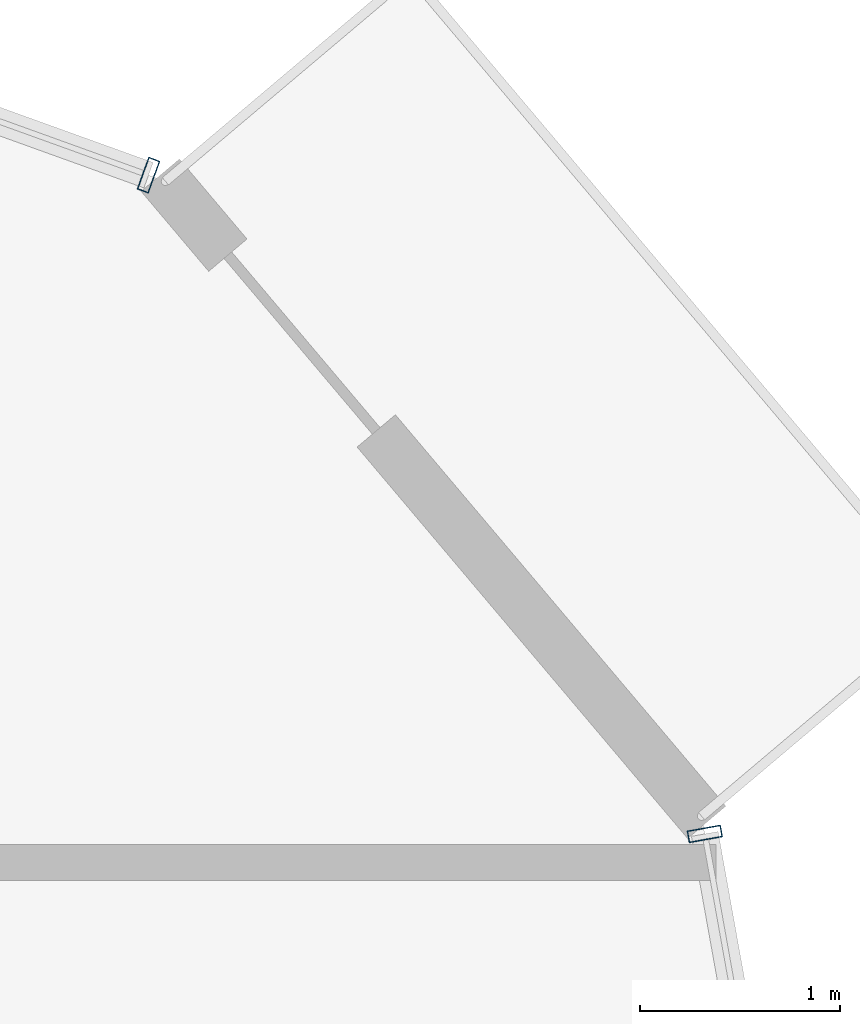
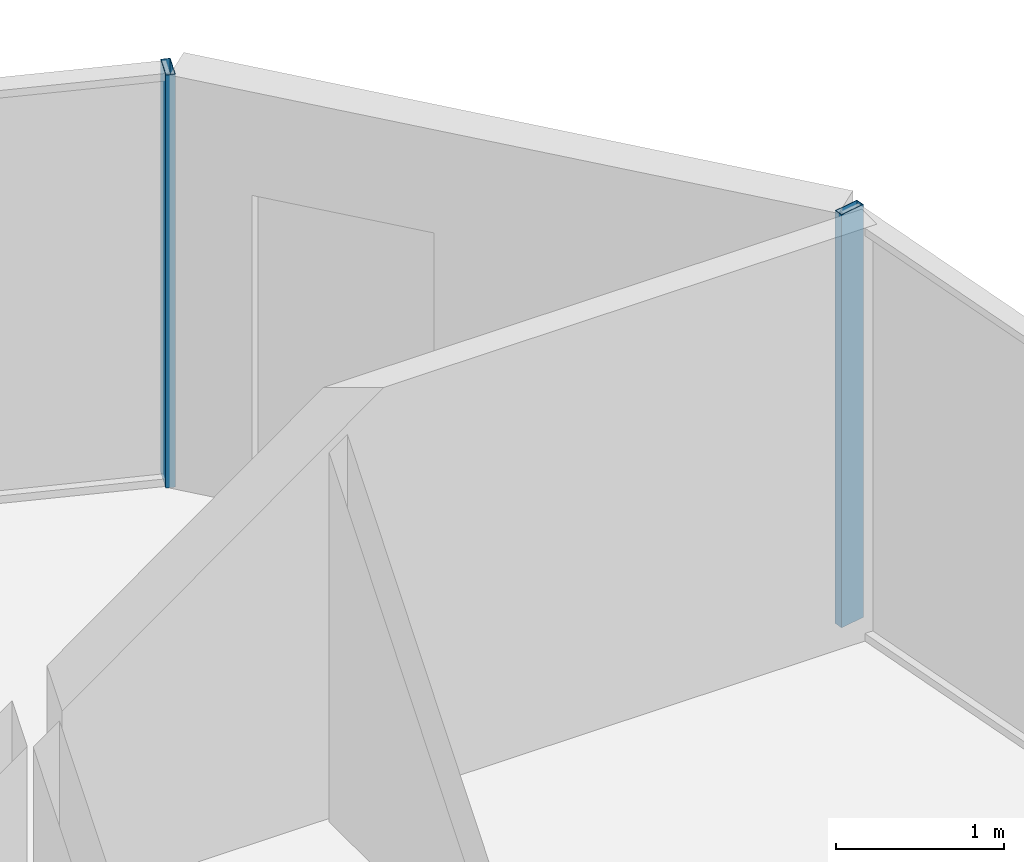
# One storey, part 29 of 36: 2 members, 2 elements without a shape of their own.
"""IFC4 building model written with IfcOpenShell, lengths in metres."""

from ifc_helpers import new_model, si_unit, direction, frame, origin, origin_2d, place, context, subcontext, project, spatial, hollow_rectangle, extrude, source, transform, mapped, material, layer, layer_set, material_profile, profile_set, type_object, element, aggregate, save


model = new_model("IFC4")

# Units and contexts
model_context = context("Model", 3, precision=1e-05, world=origin(), true_north=direction((0.0, 1.0)))
body_context = subcontext(model_context, "Body", "Model", "MODEL_VIEW")
ifc_project = project(units=[si_unit("LENGTHUNIT", "METRE"), si_unit("AREAUNIT", "SQUARE_METRE"), si_unit("VOLUMEUNIT", "CUBIC_METRE"), si_unit("PLANEANGLEUNIT", "RADIAN"), si_unit("MASSUNIT", "GRAM", prefix="KILO")], contexts=[model_context])

# Site, building, storey
site_placement = place(None, origin())
site = spatial("IfcSite", under=ifc_project, at=site_placement, CompositionType="ELEMENT")
building_placement = place(site_placement, origin())
building = spatial("IfcBuilding", under=site, at=building_placement, Name="Veraguas Prism Commons", CompositionType="ELEMENT")
storey_placement = place(building_placement, frame((0.0, 0.0, 163.050048828125)))
storey = spatial("IfcBuildingStorey", under=building, at=storey_placement, Name="L46", CompositionType="ELEMENT", Elevation=163.050048828125)

# Curtain wall, member
ifc_material = material(Name="Anodised aluminium EN AW-6063 T6", Category="aluminium")
ifc_layer = layer(ifc_material, 0.169921875, Name="Unitised Flush Curtain Wall Zone 2", Category="aluminium")
ifc_layer_set = layer_set([ifc_layer], Name="Anodised aluminium EN AW-6063 T6")
curtain_wall_type = type_object("IfcCurtainWallType", Name="Unitised Flush Curtain Wall Zone 2", PredefinedType="NOTDEFINED", material=ifc_layer_set)
curtain_wall_1_placement = place(storey_placement, origin())
curtain_wall_1 = element("IfcCurtainWall", 1, at=curtain_wall_1_placement, inside=storey, type_object=curtain_wall_type, Name="Tower Facade Curtain Wall L46-F1", PredefinedType="NOTDEFINED")
ifc_material_profile = material_profile(ifc_material, hollow_rectangle(XDim=0.06005859375, YDim=0.169921875, WallThickness=0.00390625, at=origin_2d()), Name="AL60X170X4")
ifc_profile_set = profile_set([ifc_material_profile], Name="Anodised aluminium EN AW-6063 T6")
member_type = type_object("IfcMemberType", Name="Curtain Wall Mullion Lower AL 60x170x4", PredefinedType="MULLION", material=ifc_profile_set)
shared_shape = source(origin(), body_context, "Body", "SweptSolid", [
    extrude(hollow_rectangle(XDim=0.06005859375, YDim=0.169921875, WallThickness=0.00390625, at=origin_2d()), origin(), (0.0, 0.0, 1.0), 3.0),
])
member_1_placement = place(storey_placement, frame((38.582763671875, 39.134521484375, 0.0), z_axis=(0.0, 0.0, 1.0), x_axis=(-0.940760694435, 0.339071254763, 0.0)))
member_1 = element("IfcMember", 2, at=member_1_placement, type_object=member_type, Name="CW-Z2 Mullion 1", PredefinedType="MULLION", context=body_context, shape_type="MappedRepresentation", body=[
    mapped(shared_shape, transform((0.0, 0.0, 0.0), scale=1.0)),
])
aggregate(curtain_wall_1, [member_1])

curtain_wall_2_placement = place(storey_placement, origin())
curtain_wall_2 = element("IfcCurtainWall", 3, at=curtain_wall_2_placement, inside=storey, type_object=curtain_wall_type, Name="Tower Facade Curtain Wall L46-F6", PredefinedType="NOTDEFINED")
member_2_placement = place(storey_placement, frame((41.36279296875, 35.84228515625, 0.0), z_axis=(0.0, 0.0, 1.0), x_axis=(-0.176741180461, 0.984257362243, 0.0)))
member_2 = element("IfcMember", 4, at=member_2_placement, type_object=member_type, Name="CW-Z2 Mullion 5", PredefinedType="MULLION", context=body_context, shape_type="MappedRepresentation", body=[
    mapped(shared_shape, transform((0.0, 0.0, 0.0), scale=1.0)),
])
aggregate(curtain_wall_2, [member_2])

save(model, "model.ifc")
